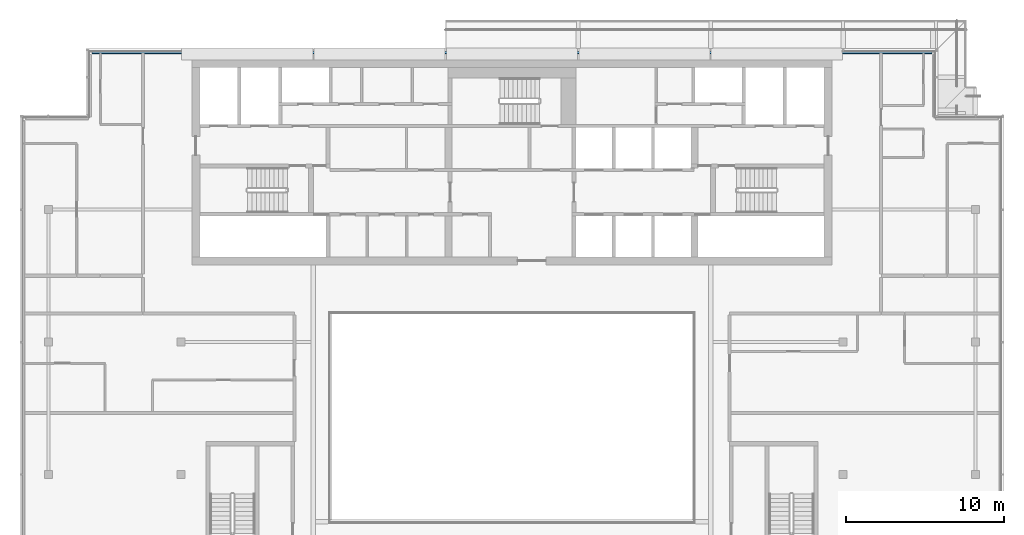
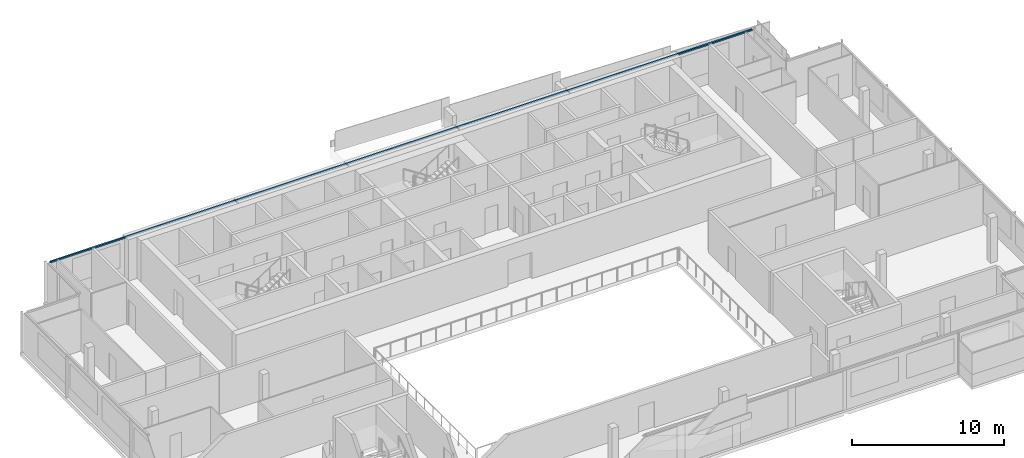
# One storey, part 8 of 22: 1 member, 1 element without a shape of its own.
"""IFC4 building model written with IfcOpenShell, lengths in metres."""

from ifc_helpers import new_model, si_unit, direction, frame, origin, origin_2d, place, context, subcontext, project, spatial, rectangle, extrude, material, material_profile, profile_set, type_object, element, aggregate, save


model = new_model("IFC4")

# Units and contexts
model_context = context("Model", 3, precision=1e-05, world=origin(), true_north=direction((0.0, 1.0)))
body_context = subcontext(model_context, "Body", "Model", "MODEL_VIEW")
ifc_project = project(units=[si_unit("LENGTHUNIT", "METRE"), si_unit("AREAUNIT", "SQUARE_METRE"), si_unit("VOLUMEUNIT", "CUBIC_METRE"), si_unit("PLANEANGLEUNIT", "RADIAN"), si_unit("MASSUNIT", "GRAM", prefix="KILO")], contexts=[model_context])

# Site, building, storey
site_placement = place(None, origin())
site = spatial("IfcSite", under=ifc_project, at=site_placement, CompositionType="ELEMENT")
building_placement = place(site_placement, origin())
building = spatial("IfcBuilding", under=site, at=building_placement, Name="Saffron Gate Tower", CompositionType="ELEMENT")
storey_placement = place(building_placement, frame((0.0, 0.0, 295.949951171875)))
storey = spatial("IfcBuildingStorey", under=building, at=storey_placement, Name="L72", CompositionType="ELEMENT", Elevation=295.949951171875)

# Curtain wall, member
ifc_material = material(Name="Aluminium, bronze anodised", Category="aluminium")
curtain_wall_type = type_object("IfcCurtainWallType", Name="CWS3 curtain wall rear facade", PredefinedType="NOTDEFINED", material=ifc_material)
curtain_wall_placement = place(storey_placement, origin())
curtain_wall = element("IfcCurtainWall", 1, at=curtain_wall_placement, inside=storey, type_object=curtain_wall_type, Name="CWS3 run 7", PredefinedType="NOTDEFINED")
ifc_material_profile = material_profile(ifc_material, rectangle(XDim=0.1201171875, YDim=0.1201171875, at=origin_2d()))
ifc_profile_set = profile_set([ifc_material_profile], Name="Aluminium, bronze anodised")
member_type = type_object("IfcMemberType", Name="CWS3 head transom", PredefinedType="USERDEFINED", material=ifc_profile_set)
member_placement = place(storey_placement, frame((114.23193359375, 75.35205078125, 3.260009765625), z_axis=(-1.0, 0.0, 0.0), x_axis=(0.0, -1.0, 0.0)))
member = element("IfcMember", 2, at=member_placement, type_object=member_type, Name="CWS3 head transom", ObjectType="TRANSOM", PredefinedType="USERDEFINED", context=body_context, shape_type="SweptSolid", body=[
    extrude(rectangle(XDim=0.1201171875, YDim=0.1201171875, at=origin_2d()), origin(), (0.0, 0.0, 1.0), 53.263916015625),
])
aggregate(curtain_wall, [member])

save(model, "model.ifc")
